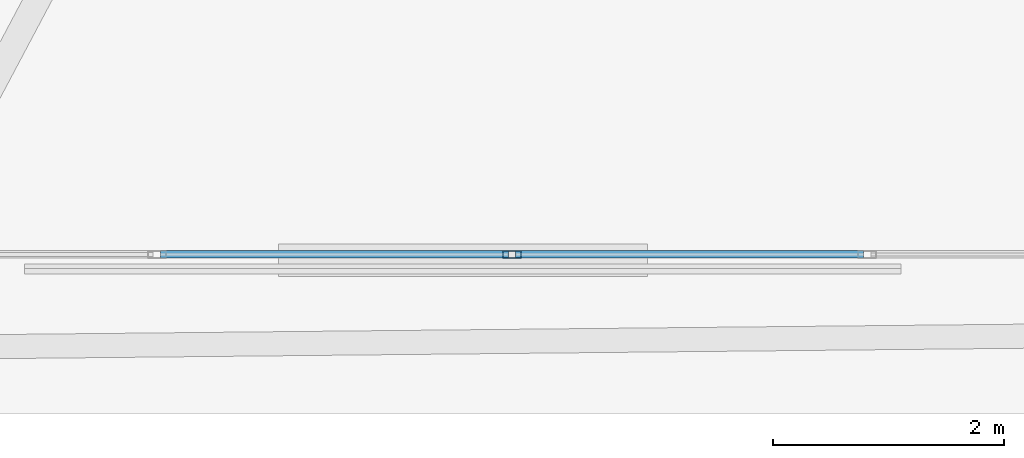
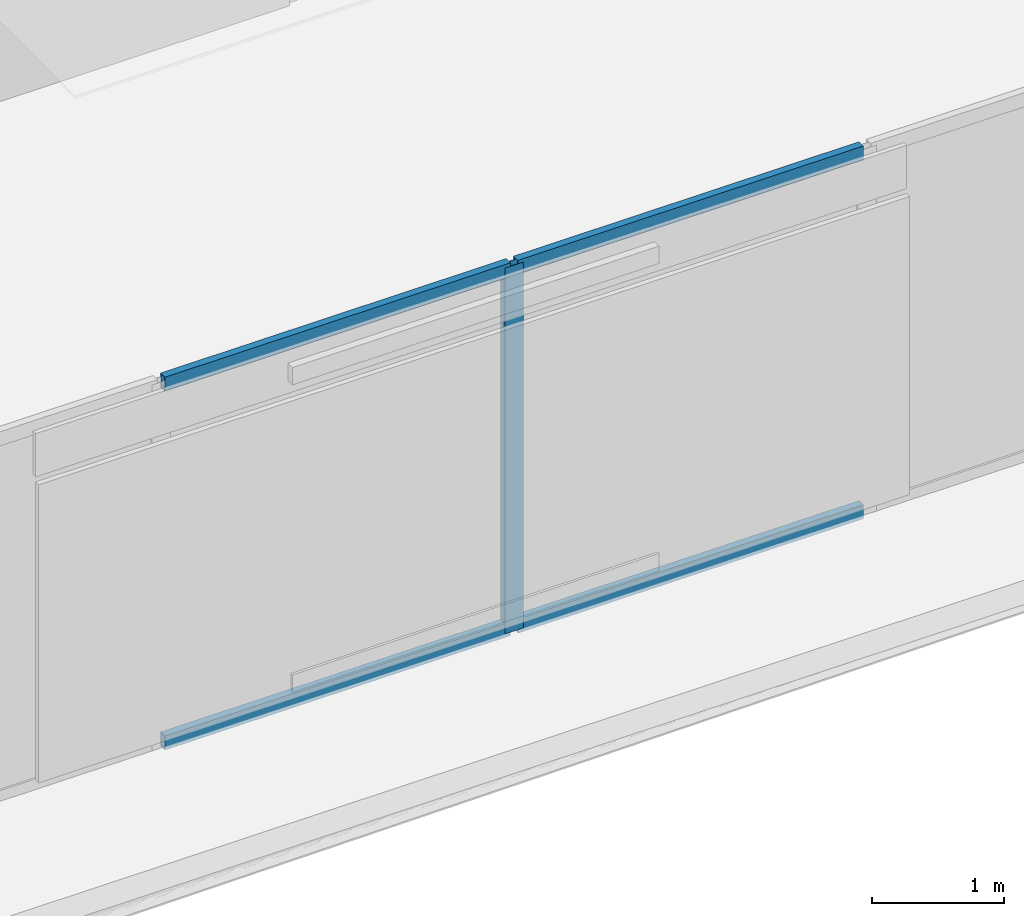
# One storey, part 3 of 39: 5 members, 1 element without a shape of its own.
"""IFC4 building model written with IfcOpenShell, lengths in metres."""

from ifc_helpers import new_model, si_unit, direction, frame, origin, origin_2d, place, context, subcontext, project, spatial, hollow_rectangle, extrude, material, layer, layer_set, material_profile, profile_set, type_object, element, aggregate, save


model = new_model("IFC4")

# Units and contexts
model_context = context("Model", 3, precision=1e-05, world=origin(), true_north=direction((0.0, 1.0)))
body_context = subcontext(model_context, "Body", "Model", "MODEL_VIEW")
ifc_project = project(units=[si_unit("LENGTHUNIT", "METRE"), si_unit("AREAUNIT", "SQUARE_METRE"), si_unit("VOLUMEUNIT", "CUBIC_METRE"), si_unit("PLANEANGLEUNIT", "RADIAN"), si_unit("MASSUNIT", "GRAM", prefix="KILO")], contexts=[model_context])

# Site, building, storey
site_placement = place(None, origin())
site = spatial("IfcSite", under=ifc_project, at=site_placement, CompositionType="ELEMENT")
building_placement = place(site_placement, origin())
building = spatial("IfcBuilding", under=site, at=building_placement, Name="Caelvoria Tower", CompositionType="ELEMENT")
storey_placement = place(building_placement, frame((0.0, 0.0, 198.60009765625)))
storey = spatial("IfcBuildingStorey", under=building, at=storey_placement, Name="L52", CompositionType="ELEMENT", Elevation=198.60009765625)

# Curtain wall, members
ifc_material_1 = material(Name="Anodised Bronze Aluminium and Low-E Glass", Category="aluminium")
ifc_layer = layer(ifc_material_1, 0.175048828125, Name="Anodised Bronze Aluminium and Low-E Glass")
ifc_layer_set = layer_set([ifc_layer], Name="CW System 4 High-Zone Tapered Crystal Facade - Anodised Bronze Aluminium and Low-E Glass")
curtain_wall_type = type_object("IfcCurtainWallType", Name="CW System 4 High-Zone Tapered Crystal Facade", PredefinedType="NOTDEFINED", material=ifc_layer_set)
curtain_wall_placement = place(storey_placement, origin())
curtain_wall = element("IfcCurtainWall", 1, at=curtain_wall_placement, inside=storey, type_object=curtain_wall_type, Name="CW-04 Curtain Wall L52-E0", PredefinedType="NOTDEFINED")
ifc_material_2 = material(Name="Anodised Bronze Architectural Aluminium", Category="aluminium")
ifc_material_profile_1 = material_profile(ifc_material_2, hollow_rectangle(XDim=0.06494140625, YDim=0.159912109375, WallThickness=0.00390625, at=origin_2d()), Name="Anodised Bronze Architectural Aluminium")
ifc_profile_set_1 = profile_set([ifc_material_profile_1], Name="CW_MULL_65X160 - Anodised Bronze Architectural Aluminium")
member_type_1 = type_object("IfcMemberType", Name="Curtain Wall Mullion 65x160 Bronze Aluminium", PredefinedType="MULLION", material=ifc_profile_set_1)
member_1_placement = place(storey_placement, frame((36.760009765625, 13.580078125, 0.0), z_axis=(0.0, 0.0, 1.0), x_axis=(0.0, 1.0, 0.0)))
member_1 = element("IfcMember", 2, at=member_1_placement, type_object=member_type_1, Name="CW-04 mullion 3", PredefinedType="MULLION", context=body_context, shape_type="SweptSolid", body=[
    extrude(hollow_rectangle(XDim=0.06494140625, YDim=0.159912109375, WallThickness=0.00390625, at=origin_2d()), origin(), (0.0, 0.0, 1.0), 3.375),
])
ifc_material_profile_2 = material_profile(ifc_material_2, hollow_rectangle(XDim=0.06494140625, YDim=0.1298828125, WallThickness=0.00341796875, at=origin_2d()), Name="Anodised Bronze Architectural Aluminium")
ifc_profile_set_2 = profile_set([ifc_material_profile_2], Name="CW_TRAN_65X130 - Anodised Bronze Architectural Aluminium")
member_type_2 = type_object("IfcMemberType", Name="Curtain Wall Transom 65x130 Bronze Aluminium", PredefinedType="USERDEFINED", material=ifc_profile_set_2)
member_2_placement = place(storey_placement, frame((33.71240234375, 13.580078125, 0.032470703125), z_axis=(1.0, 0.0, 0.0), x_axis=(0.0, 1.0, 0.0)))
member_2 = element("IfcMember", 3, at=member_2_placement, type_object=member_type_2, Name="CW-04 transom 2.1", ObjectType="TRANSOM", PredefinedType="USERDEFINED", context=body_context, shape_type="SweptSolid", body=[
    extrude(hollow_rectangle(XDim=0.06494140625, YDim=0.1298828125, WallThickness=0.00341796875, at=origin_2d()), origin(), (0.0, 0.0, 1.0), 3.01513671875),
])
member_3_placement = place(storey_placement, frame((33.71240234375, 13.580078125, 3.34228515625), z_axis=(1.0, 0.0, 0.0), x_axis=(0.0, 1.0, 0.0)))
member_3 = element("IfcMember", 4, at=member_3_placement, type_object=member_type_2, Name="CW-04 transom 2.2", ObjectType="TRANSOM", PredefinedType="USERDEFINED", context=body_context, shape_type="SweptSolid", body=[
    extrude(hollow_rectangle(XDim=0.06494140625, YDim=0.1298828125, WallThickness=0.00341796875, at=origin_2d()), origin(), (0.0, 0.0, 1.0), 3.01513671875),
])
member_4_placement = place(storey_placement, frame((36.79248046875, 13.580078125, 0.032470703125), z_axis=(1.0, 0.0, 0.0), x_axis=(0.0, 1.0, 0.0)))
member_4 = element("IfcMember", 5, at=member_4_placement, type_object=member_type_2, Name="CW-04 transom 3.1", ObjectType="TRANSOM", PredefinedType="USERDEFINED", context=body_context, shape_type="SweptSolid", body=[
    extrude(hollow_rectangle(XDim=0.06494140625, YDim=0.1298828125, WallThickness=0.00341796875, at=origin_2d()), origin(), (0.0, 0.0, 1.0), 3.01513671875),
])
member_5_placement = place(storey_placement, frame((36.79248046875, 13.580078125, 3.34228515625), z_axis=(1.0, 0.0, 0.0), x_axis=(0.0, 1.0, 0.0)))
member_5 = element("IfcMember", 6, at=member_5_placement, type_object=member_type_2, Name="CW-04 transom 3.2", ObjectType="TRANSOM", PredefinedType="USERDEFINED", context=body_context, shape_type="SweptSolid", body=[
    extrude(hollow_rectangle(XDim=0.06494140625, YDim=0.1298828125, WallThickness=0.00341796875, at=origin_2d()), origin(), (0.0, 0.0, 1.0), 3.01513671875),
])
aggregate(curtain_wall, [member_1, member_2, member_3, member_4, member_5])

save(model, "model.ifc")
